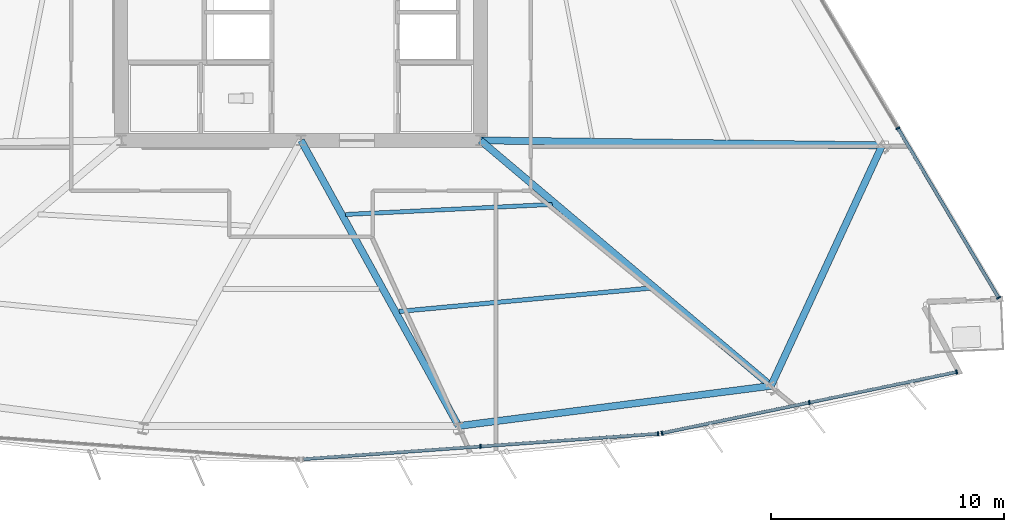
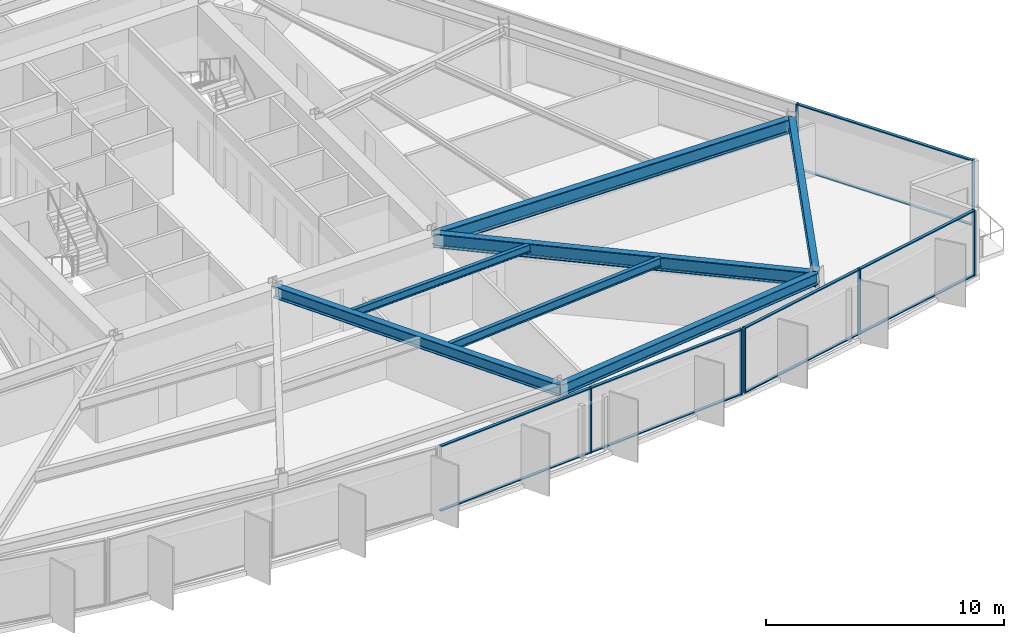
# One storey, part 5 of 16: 17 members, 7 beams, 3 elements without a shape of their own.
"""IFC4 building model written with IfcOpenShell, lengths in metres."""

from ifc_helpers import new_model, si_unit, direction, frame, origin, origin_2d, place, context, subcontext, project, spatial, rectangle, i_section, extrude, material, material_profile, profile_set, type_object, element, aggregate, save


model = new_model("IFC4")

# Units and contexts
model_context = context("Model", 3, precision=1e-05, world=origin(), true_north=direction((0.0, 1.0)))
body_context = subcontext(model_context, "Body", "Model", "MODEL_VIEW")
ifc_project = project(units=[si_unit("LENGTHUNIT", "METRE"), si_unit("AREAUNIT", "SQUARE_METRE"), si_unit("VOLUMEUNIT", "CUBIC_METRE"), si_unit("PLANEANGLEUNIT", "RADIAN"), si_unit("MASSUNIT", "GRAM", prefix="KILO")], contexts=[model_context])

# Site, building, storey
site_placement = place(None, origin())
site = spatial("IfcSite", under=ifc_project, at=site_placement, CompositionType="ELEMENT")
building_placement = place(site_placement, origin())
building = spatial("IfcBuilding", under=site, at=building_placement, Name="Savorim Split Tower", CompositionType="ELEMENT")
storey_placement = place(building_placement, frame((0.0, 0.0, 33.60009765625)))
storey = spatial("IfcBuildingStorey", under=building, at=storey_placement, Name="L08", CompositionType="ELEMENT", Elevation=33.60009765625)

# Beams
ifc_material_1 = material(Name="Steel S355", Category="steel")
ifc_material_profile_1 = material_profile(ifc_material_1, i_section(OverallWidth=0.179931640625, OverallDepth=0.39990234375, WebThickness=0.008544921875, FlangeThickness=0.013427734375, FilletRadius=0.02099609375, at=origin_2d()), Name="IPE 400")
ifc_profile_set_1 = profile_set([ifc_material_profile_1], Name="Steel S355")
beam_type_1 = type_object("IfcBeamType", Name="BM-JST-IPE400", PredefinedType="JOIST", material=ifc_profile_set_1)
beam_1_placement = place(storey_placement, frame((1.916748046875, -12.57763671875, 3.14990234375), z_axis=(0.998814994702, 0.048668330137, 0.0), x_axis=(-0.048668330137, 0.998814994702, 0.0)))
element("IfcBeam", 1, at=beam_1_placement, inside=storey, type_object=beam_type_1, Name="L08 Secondary Floor Joist JS-05", PredefinedType="JOIST", context=body_context, shape_type="SweptSolid", body=[
    extrude(i_section(OverallWidth=0.179931640625, OverallDepth=0.39990234375, WebThickness=0.008544921875, FlangeThickness=0.013427734375, FilletRadius=0.02099609375, at=origin_2d()), origin(), (0.0, 0.0, 1.0), 8.8740234375),
])
ifc_material_profile_2 = material_profile(ifc_material_1, i_section(OverallWidth=0.18994140625, OverallDepth=0.449951171875, WebThickness=0.009521484375, FlangeThickness=0.0146484375, FilletRadius=0.02099609375, at=origin_2d()), Name="IPE 450")
ifc_profile_set_2 = profile_set([ifc_material_profile_2], Name="Steel S355")
beam_type_2 = type_object("IfcBeamType", Name="BM-JST-IPE450", PredefinedType="JOIST", material=ifc_profile_set_2)
beam_2_placement = place(storey_placement, frame((4.213623046875, -16.736328125, 3.125), z_axis=(0.995719149108, 0.092430385152, 0.0), x_axis=(-0.092430385152, 0.995719149108, 0.0)))
element("IfcBeam", 2, at=beam_2_placement, inside=storey, type_object=beam_type_2, Name="L08 Secondary Floor Joist JS-04", PredefinedType="JOIST", context=body_context, shape_type="SweptSolid", body=[
    extrude(i_section(OverallWidth=0.18994140625, OverallDepth=0.449951171875, WebThickness=0.009521484375, FlangeThickness=0.0146484375, FilletRadius=0.02099609375, at=origin_2d()), origin(), (0.0, 0.0, 1.0), 10.8505859375),
])
ifc_material_profile_3 = material_profile(ifc_material_1, i_section(OverallWidth=0.300048828125, OverallDepth=0.60009765625, WebThickness=0.015380859375, FlangeThickness=0.030029296875, FilletRadius=0.027099609375, at=origin_2d()), Name="HEB 600")
ifc_profile_set_3 = profile_set([ifc_material_profile_3], Name="Steel S355")
beam_type_3 = type_object("IfcBeamType", Name="BM-PRI-HEB600", PredefinedType="BEAM", material=ifc_profile_set_3)
beam_3_placement = place(storey_placement, frame((6.75732421875, -21.65185546875, 3.0498046875), z_axis=(-0.482947259093, 0.875649441806, 0.0), x_axis=(-0.875649441806, -0.482947259093, 0.0)))
element("IfcBeam", 3, at=beam_3_placement, inside=storey, type_object=beam_type_3, Name="L08 Primary Floor Girder RG-03", PredefinedType="BEAM", context=body_context, shape_type="SweptSolid", body=[
    extrude(i_section(OverallWidth=0.300048828125, OverallDepth=0.60009765625, WebThickness=0.015380859375, FlangeThickness=0.030029296875, FilletRadius=0.027099609375, at=origin_2d()), origin(), (0.0, 0.0, 1.0), 13.991943359375),
])
ifc_material_2 = material(Name="Steel S460", Category="steel")
ifc_material_profile_4 = material_profile(ifc_material_2, i_section(OverallWidth=0.303955078125, OverallDepth=0.716064453125, WebThickness=0.02099609375, FlangeThickness=0.0400390625, FilletRadius=0.027099609375, at=origin_2d()), Name="HE 700 M")
ifc_profile_set_4 = profile_set([ifc_material_profile_4], Name="Steel S460")
beam_type_4 = type_object("IfcBeamType", Name="BM-PRI-HEM700", PredefinedType="BEAM", material=ifc_profile_set_4)
beam_4_placement = place(storey_placement, frame((20.162109375, -19.930908203125, 2.991943359375), z_axis=(-0.763806130809, 0.645445733225, 0.0), x_axis=(-0.645445733225, -0.763806130809, 0.0)))
element("IfcBeam", 4, at=beam_4_placement, inside=storey, type_object=beam_type_4, Name="L08 Primary Floor Girder RG-04", PredefinedType="BEAM", context=body_context, shape_type="SweptSolid", body=[
    extrude(i_section(OverallWidth=0.303955078125, OverallDepth=0.716064453125, WebThickness=0.02099609375, FlangeThickness=0.0400390625, FilletRadius=0.027099609375, at=origin_2d()), origin(), (0.0, 0.0, 1.0), 16.31591796875),
])
beam_5_placement = place(storey_placement, frame((24.932373046875, -9.61279296875, 2.991943359375), z_axis=(-0.999923697155, 0.012353131927, 0.0), x_axis=(-0.012353131927, -0.999923697155, 0.0)))
element("IfcBeam", 5, at=beam_5_placement, inside=storey, type_object=beam_type_4, Name="L08 Primary Floor Girder RG-05", PredefinedType="BEAM", context=body_context, shape_type="SweptSolid", body=[
    extrude(i_section(OverallWidth=0.303955078125, OverallDepth=0.716064453125, WebThickness=0.02099609375, FlangeThickness=0.0400390625, FilletRadius=0.027099609375, at=origin_2d()), origin(), (0.0, 0.0, 1.0), 17.233642578125),
])
ifc_material_profile_5 = material_profile(ifc_material_1, i_section(OverallWidth=0.300048828125, OverallDepth=0.590087890625, WebThickness=0.012939453125, FlangeThickness=0.02490234375, FilletRadius=0.027099609375, at=origin_2d()), Name="HEA 600")
ifc_profile_set_5 = profile_set([ifc_material_profile_5], Name="Steel S355")
beam_type_5 = type_object("IfcBeamType", Name="BM-SPN-HEA600", PredefinedType="SPANDREL", material=ifc_profile_set_5)
beam_6_placement = place(storey_placement, frame((6.75732421875, -21.65185546875, 3.054931640625), z_axis=(0.99185938997, 0.127337938293, 0.0), x_axis=(-0.127337938293, 0.99185938997, 0.0)))
element("IfcBeam", 6, at=beam_6_placement, inside=storey, type_object=beam_type_5, Name="L08 Perimeter Spandrel Beam 3", PredefinedType="SPANDREL", context=body_context, shape_type="SweptSolid", body=[
    extrude(i_section(OverallWidth=0.300048828125, OverallDepth=0.590087890625, WebThickness=0.012939453125, FlangeThickness=0.02490234375, FilletRadius=0.027099609375, at=origin_2d()), origin(), (0.0, 0.0, 1.0), 13.514892578125),
])
beam_7_placement = place(storey_placement, frame((20.162109375, -19.930908203125, 3.054931640625), z_axis=(0.419642374415, 0.907689527094, 0.0), x_axis=(-0.907689527094, 0.419642374415, 0.0)))
element("IfcBeam", 7, at=beam_7_placement, inside=storey, type_object=beam_type_5, Name="L08 Perimeter Spandrel Beam 4", PredefinedType="SPANDREL", context=body_context, shape_type="SweptSolid", body=[
    extrude(i_section(OverallWidth=0.300048828125, OverallDepth=0.590087890625, WebThickness=0.012939453125, FlangeThickness=0.02490234375, FilletRadius=0.027099609375, at=origin_2d()), origin(), (0.0, 0.0, 1.0), 11.367431640625),
])

# Curtain wall, members
ifc_material_3 = material(Name="Dark Ceramic-Fritted Insulated Glass", Category="glass")
curtain_wall_type = type_object("IfcCurtainWallType", Name="CW-TWR-FRIT-A", PredefinedType="NOTDEFINED", material=ifc_material_3)
curtain_wall_1_placement = place(storey_placement, origin())
curtain_wall_1 = element("IfcCurtainWall", 8, at=curtain_wall_1_placement, inside=storey, type_object=curtain_wall_type, Name="L08 Curtain Wall CW-L08-SF3", PredefinedType="NOTDEFINED")
ifc_material_4 = material(Name="Charcoal Anodised Aluminium", Category="aluminium")
ifc_material_profile_6 = material_profile(ifc_material_4, rectangle(XDim=0.179931640625, YDim=0.06494140625, at=origin_2d()), Name="ALU-M 180x65")
ifc_profile_set_6 = profile_set([ifc_material_profile_6], Name="Charcoal Anodised Aluminium")
member_type_1 = type_object("IfcMemberType", Name="CWM-180x65", PredefinedType="MULLION", material=ifc_profile_set_6)
member_1_placement = place(storey_placement, frame((7.7021484375, -22.527099609375, 0.0), z_axis=(0.0, 0.0, 1.0), x_axis=(-0.071560199658, 0.997436282589, 0.0)))
member_1 = element("IfcMember", 9, at=member_1_placement, type_object=member_type_1, Name="CW-02 mullion 2", PredefinedType="MULLION", context=body_context, shape_type="SweptSolid", body=[
    extrude(rectangle(XDim=0.179931640625, YDim=0.06494140625, at=origin_2d()), origin(), (0.0, 0.0, 1.0), 3.349853515625),
])
member_2_placement = place(storey_placement, frame((15.320556640625, -21.98046875, 0.0), z_axis=(0.0, 0.0, 1.0), x_axis=(-0.071560199658, 0.997436282589, 0.0)))
member_2 = element("IfcMember", 10, at=member_2_placement, type_object=member_type_1, Name="CW-02 mullion 3", PredefinedType="MULLION", context=body_context, shape_type="SweptSolid", body=[
    extrude(rectangle(XDim=0.179931640625, YDim=0.06494140625, at=origin_2d()), origin(), (0.0, 0.0, 1.0), 3.349853515625),
])

curtain_wall_2_placement = place(storey_placement, origin())
curtain_wall_2 = element("IfcCurtainWall", 11, at=curtain_wall_2_placement, inside=storey, type_object=curtain_wall_type, Name="L08 Curtain Wall CW-L08-SF4", PredefinedType="NOTDEFINED")
member_3_placement = place(storey_placement, frame((15.487548828125, -21.957275390625, 0.0), z_axis=(0.0, 0.0, 1.0), x_axis=(-0.203210322793, 0.979135110549, 0.0)))
member_3 = element("IfcMember", 12, at=member_3_placement, type_object=member_type_1, Name="CW-02 mullion 1", PredefinedType="MULLION", context=body_context, shape_type="SweptSolid", body=[
    extrude(rectangle(XDim=0.179931640625, YDim=0.06494140625, at=origin_2d()), origin(), (0.0, 0.0, 1.0), 3.349853515625),
])
member_4_placement = place(storey_placement, frame((21.807861328125, -20.6455078125, 0.0), z_axis=(0.0, 0.0, 1.0), x_axis=(-0.203210322793, 0.979135110549, 0.0)))
member_4 = element("IfcMember", 13, at=member_4_placement, type_object=member_type_1, Name="CW-02 mullion 2", PredefinedType="MULLION", context=body_context, shape_type="SweptSolid", body=[
    extrude(rectangle(XDim=0.179931640625, YDim=0.06494140625, at=origin_2d()), origin(), (0.0, 0.0, 1.0), 3.349853515625),
])
member_5_placement = place(storey_placement, frame((28.12841796875, -19.333740234375, 0.0), z_axis=(0.0, 0.0, 1.0), x_axis=(-0.203210322793, 0.979135110549, 0.0)))
member_5 = element("IfcMember", 14, at=member_5_placement, type_object=member_type_1, Name="CW-02 mullion 3", PredefinedType="MULLION", context=body_context, shape_type="SweptSolid", body=[
    extrude(rectangle(XDim=0.179931640625, YDim=0.06494140625, at=origin_2d()), origin(), (0.0, 0.0, 1.0), 3.349853515625),
])

curtain_wall_3_placement = place(storey_placement, origin())
curtain_wall_3 = element("IfcCurtainWall", 15, at=curtain_wall_3_placement, inside=storey, type_object=curtain_wall_type, Name="L08 Curtain Wall CW-L08-EAST", PredefinedType="NOTDEFINED")
member_6_placement = place(storey_placement, frame((29.927978515625, -16.14990234375, 0.0), z_axis=(0.0, 0.0, 1.0), x_axis=(-0.859525752007, -0.511092439425, 0.0)))
member_6 = element("IfcMember", 16, at=member_6_placement, type_object=member_type_1, Name="CW-02 mullion 1", PredefinedType="MULLION", context=body_context, shape_type="SweptSolid", body=[
    extrude(rectangle(XDim=0.179931640625, YDim=0.06494140625, at=origin_2d()), origin(), (0.0, 0.0, 1.0), 3.349853515625),
])
member_7_placement = place(storey_placement, frame((25.604248046875, -8.878662109375, 0.0), z_axis=(0.0, 0.0, 1.0), x_axis=(-0.859525752007, -0.511092439425, 0.0)))
member_7 = element("IfcMember", 17, at=member_7_placement, type_object=member_type_1, Name="CW-02 mullion 2", PredefinedType="MULLION", context=body_context, shape_type="SweptSolid", body=[
    extrude(rectangle(XDim=0.179931640625, YDim=0.06494140625, at=origin_2d()), origin(), (0.0, 0.0, 1.0), 3.349853515625),
])

# Member
ifc_material_profile_7 = material_profile(ifc_material_4, rectangle(XDim=0.139892578125, YDim=0.054931640625, at=origin_2d()), Name="ALU-T 140x55")
ifc_profile_set_7 = profile_set([ifc_material_profile_7], Name="Charcoal Anodised Aluminium")
member_type_2 = type_object("IfcMemberType", Name="CWT-140x55", PredefinedType="USERDEFINED", material=ifc_profile_set_7)
member_8_placement = place(storey_placement, frame((0.1162109375, -23.0712890625, 0.02734375), z_axis=(0.997437873969, 0.071538014879, 0.0), x_axis=(-0.071538014879, 0.997437873969, 0.0)))
member_8 = element("IfcMember", 18, at=member_8_placement, type_object=member_type_2, Name="CW-02 transom 1.1", ObjectType="TRANSOM", PredefinedType="USERDEFINED", context=body_context, shape_type="SweptSolid", body=[
    extrude(rectangle(XDim=0.139892578125, YDim=0.054931640625, at=origin_2d()), origin(), (0.0, 0.0, 1.0), 7.57275390625),
])

member_9_placement = place(storey_placement, frame((0.1162109375, -23.0712890625, 3.322509765625), z_axis=(0.997437873969, 0.071538014879, 0.0), x_axis=(-0.071538014879, 0.997437873969, 0.0)))
member_9 = element("IfcMember", 19, at=member_9_placement, type_object=member_type_2, Name="CW-02 transom 1.2", ObjectType="TRANSOM", PredefinedType="USERDEFINED", context=body_context, shape_type="SweptSolid", body=[
    extrude(rectangle(XDim=0.139892578125, YDim=0.054931640625, at=origin_2d()), origin(), (0.0, 0.0, 1.0), 7.57275390625),
])

member_10_placement = place(storey_placement, frame((7.734619140625, -22.524658203125, 0.02734375), z_axis=(0.997437873969, 0.071538014879, 0.0), x_axis=(-0.071538014879, 0.997437873969, 0.0)))
member_10 = element("IfcMember", 20, at=member_10_placement, type_object=member_type_2, Name="CW-02 transom 2.1", ObjectType="TRANSOM", PredefinedType="USERDEFINED", context=body_context, shape_type="SweptSolid", body=[
    extrude(rectangle(XDim=0.139892578125, YDim=0.054931640625, at=origin_2d()), origin(), (0.0, 0.0, 1.0), 7.57275390625),
])

member_11_placement = place(storey_placement, frame((7.734619140625, -22.524658203125, 3.322509765625), z_axis=(0.997437873969, 0.071538014879, 0.0), x_axis=(-0.071538014879, 0.997437873969, 0.0)))
member_11 = element("IfcMember", 21, at=member_11_placement, type_object=member_type_2, Name="CW-02 transom 2.2", ObjectType="TRANSOM", PredefinedType="USERDEFINED", context=body_context, shape_type="SweptSolid", body=[
    extrude(rectangle(XDim=0.139892578125, YDim=0.054931640625, at=origin_2d()), origin(), (0.0, 0.0, 1.0), 7.57275390625),
])

aggregate(curtain_wall_1, [member_1, member_2, member_8, member_9, member_10, member_11])

member_12_placement = place(storey_placement, frame((15.519287109375, -21.95068359375, 0.02734375), z_axis=(0.979133980901, 0.203215765741, 0.0), x_axis=(-0.203215765741, 0.979133980901, 0.0)))
member_12 = element("IfcMember", 22, at=member_12_placement, type_object=member_type_2, Name="CW-02 transom 1.1", ObjectType="TRANSOM", PredefinedType="USERDEFINED", context=body_context, shape_type="SweptSolid", body=[
    extrude(rectangle(XDim=0.139892578125, YDim=0.054931640625, at=origin_2d()), origin(), (0.0, 0.0, 1.0), 6.39013671875),
])

member_13_placement = place(storey_placement, frame((15.519287109375, -21.95068359375, 3.322509765625), z_axis=(0.979133980901, 0.203215765741, 0.0), x_axis=(-0.203215765741, 0.979133980901, 0.0)))
member_13 = element("IfcMember", 23, at=member_13_placement, type_object=member_type_2, Name="CW-02 transom 1.2", ObjectType="TRANSOM", PredefinedType="USERDEFINED", context=body_context, shape_type="SweptSolid", body=[
    extrude(rectangle(XDim=0.139892578125, YDim=0.054931640625, at=origin_2d()), origin(), (0.0, 0.0, 1.0), 6.39013671875),
])

member_14_placement = place(storey_placement, frame((21.83984375, -20.638916015625, 0.02734375), z_axis=(0.979132403047, 0.203223368003, 0.0), x_axis=(-0.203223368003, 0.979132403047, 0.0)))
member_14 = element("IfcMember", 24, at=member_14_placement, type_object=member_type_2, Name="CW-02 transom 2.1", ObjectType="TRANSOM", PredefinedType="USERDEFINED", context=body_context, shape_type="SweptSolid", body=[
    extrude(rectangle(XDim=0.139892578125, YDim=0.054931640625, at=origin_2d()), origin(), (0.0, 0.0, 1.0), 6.389892578125),
])

member_15_placement = place(storey_placement, frame((21.83984375, -20.638916015625, 3.322509765625), z_axis=(0.979132403047, 0.203223368003, 0.0), x_axis=(-0.203223368003, 0.979132403047, 0.0)))
member_15 = element("IfcMember", 25, at=member_15_placement, type_object=member_type_2, Name="CW-02 transom 2.2", ObjectType="TRANSOM", PredefinedType="USERDEFINED", context=body_context, shape_type="SweptSolid", body=[
    extrude(rectangle(XDim=0.139892578125, YDim=0.054931640625, at=origin_2d()), origin(), (0.0, 0.0, 1.0), 6.389892578125),
])

aggregate(curtain_wall_2, [member_3, member_4, member_5, member_12, member_13, member_14, member_15])

member_16_placement = place(storey_placement, frame((29.911376953125, -16.1220703125, 0.02734375), z_axis=(-0.511091652485, 0.859526219938, 0.0), x_axis=(-0.859526219938, -0.511091652485, 0.0)))
member_16 = element("IfcMember", 26, at=member_16_placement, type_object=member_type_2, Name="CW-02 transom 1.1", ObjectType="TRANSOM", PredefinedType="USERDEFINED", context=body_context, shape_type="SweptSolid", body=[
    extrude(rectangle(XDim=0.139892578125, YDim=0.054931640625, at=origin_2d()), origin(), (0.0, 0.0, 1.0), 8.394775390625),
])

member_17_placement = place(storey_placement, frame((29.911376953125, -16.1220703125, 3.322509765625), z_axis=(-0.511091652485, 0.859526219938, 0.0), x_axis=(-0.859526219938, -0.511091652485, 0.0)))
member_17 = element("IfcMember", 27, at=member_17_placement, type_object=member_type_2, Name="CW-02 transom 1.2", ObjectType="TRANSOM", PredefinedType="USERDEFINED", context=body_context, shape_type="SweptSolid", body=[
    extrude(rectangle(XDim=0.139892578125, YDim=0.054931640625, at=origin_2d()), origin(), (0.0, 0.0, 1.0), 8.394775390625),
])

aggregate(curtain_wall_3, [member_6, member_7, member_16, member_17])

save(model, "model.ifc")
